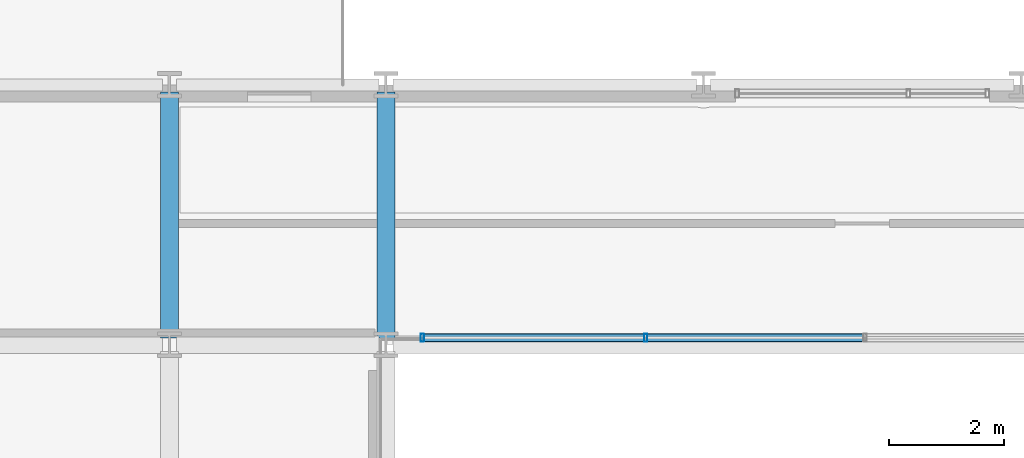
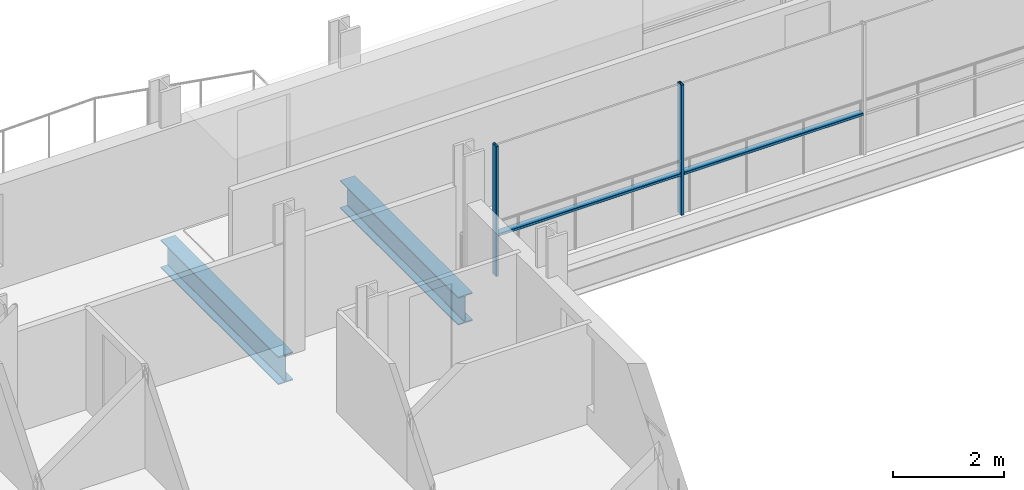
# One storey, part 9 of 40: 4 members, 2 beams, 1 element without a shape of its own.
"""IFC4 building model written with IfcOpenShell, lengths in metres."""

from ifc_helpers import new_model, si_unit, direction, frame, origin, origin_2d, place, context, subcontext, project, spatial, hollow_rectangle, i_section, extrude, material, layer, layer_set, material_profile, profile_set, type_object, element, aggregate, save


model = new_model("IFC4")

# Units and contexts
model_context = context("Model", 3, precision=1e-05, world=origin(), true_north=direction((0.0, 1.0)))
body_context = subcontext(model_context, "Body", "Model", "MODEL_VIEW")
ifc_project = project(units=[si_unit("LENGTHUNIT", "METRE"), si_unit("AREAUNIT", "SQUARE_METRE"), si_unit("VOLUMEUNIT", "CUBIC_METRE"), si_unit("PLANEANGLEUNIT", "RADIAN"), si_unit("MASSUNIT", "GRAM", prefix="KILO")], contexts=[model_context])

# Site, building, storey
site_placement = place(None, origin())
site = spatial("IfcSite", under=ifc_project, at=site_placement, CompositionType="ELEMENT")
building_placement = place(site_placement, origin())
building = spatial("IfcBuilding", under=site, at=building_placement, Name="Brevholm Reach", CompositionType="ELEMENT")
storey_placement = place(building_placement, frame((0.0, 0.0, 80.699951171875)))
storey = spatial("IfcBuildingStorey", under=building, at=storey_placement, Name="L23", CompositionType="ELEMENT", Elevation=80.699951171875)

# Beams
ifc_material_1 = material(Name="Structural Steel S355J2", Category="steel")
ifc_material_profile_1 = material_profile(ifc_material_1, i_section(OverallWidth=0.30712890625, OverallDepth=0.6201171875, WebThickness=0.01416015625, FlangeThickness=0.023681640625, FilletRadius=0.0166015625, at=origin_2d()), Name="UKB 610x305x179")
ifc_profile_set_1 = profile_set([ifc_material_profile_1], Name="Structural Steel S355J2")
beam_type = type_object("IfcBeamType", Name="BM-UKB610H", PredefinedType="USERDEFINED", material=ifc_profile_set_1)
for number, where, z_axis, x_axis, name in (
    (1, (18.0, 26.6201171875, -0.5400390625), (0.0, 1.0, 0.0), (-1.0, 0.0, 0.0), "L23 G-06 Framing Beam"),
    (2, (21.75, 26.6201171875, -0.5400390625), (0.0, 1.0, 0.0), (-1.0, 0.0, 0.0), "L23 G-06 Framing Beam"),
):
    element("IfcBeam", number, at=place(storey_placement, frame(where, z_axis=z_axis, x_axis=x_axis)), inside=storey, type_object=beam_type, Name=name, ObjectType="GIRDER", PredefinedType="USERDEFINED", context=body_context, shape_type="SweptSolid", body=[
        extrude(i_section(OverallWidth=0.30712890625, OverallDepth=0.6201171875, WebThickness=0.01416015625, FlangeThickness=0.023681640625, FilletRadius=0.0166015625, at=origin_2d()), origin(), (0.0, 0.0, 1.0), 4.259765625),
    ])

# Curtain wall, members
ifc_material_2 = material(Name="Dark Anodised Aluminium 6063-T6 and Solar-Control Glass", Category="aluminium")
ifc_layer = layer(ifc_material_2, 0.139892578125)
ifc_layer_set = layer_set([ifc_layer], Name="Dark Anodised Aluminium 6063-T6 and Solar-Control Glass")
curtain_wall_type = type_object("IfcCurtainWallType", Name="CW-02", PredefinedType="NOTDEFINED", material=ifc_layer_set)
curtain_wall_placement = place(storey_placement, origin())
curtain_wall = element("IfcCurtainWall", 3, at=curtain_wall_placement, inside=storey, type_object=curtain_wall_type, Name="L23 Curtain Wall CW-02", PredefinedType="NOTDEFINED")
ifc_material_3 = material(Name="Dark Anodised Aluminium 6063-T6", Category="aluminium")
ifc_material_profile_2 = material_profile(ifc_material_3, hollow_rectangle(XDim=0.06005859375, YDim=0.139892578125, WallThickness=0.0048828125, InnerFilletRadius=0.0048828125, OuterFilletRadius=0.010009765625, at=origin_2d()), Name="RHS 140x60x5")
ifc_profile_set_2 = profile_set([ifc_material_profile_2], Name="Dark Anodised Aluminium 6063-T6")
member_type_1 = type_object("IfcMemberType", Name="CWM-140", PredefinedType="MULLION", material=ifc_profile_set_2)
member_1_placement = place(storey_placement, frame((26.25, 26.6201171875, 0.0), z_axis=(0.0, 0.0, 1.0), x_axis=(-1.0, 0.0, 0.0)))
member_1 = element("IfcMember", 4, at=member_1_placement, type_object=member_type_1, Name="CM-140 Mullion 4", PredefinedType="MULLION", context=body_context, shape_type="SweptSolid", body=[
    extrude(hollow_rectangle(XDim=0.06005859375, YDim=0.139892578125, WallThickness=0.0048828125, InnerFilletRadius=0.0048828125, OuterFilletRadius=0.010009765625, at=origin_2d()), origin(), (0.0, 0.0, 1.0), 2.8701171875),
])
member_2_placement = place(storey_placement, frame((22.3798828125, 26.6201171875, 0.0), z_axis=(0.0, 0.0, 1.0), x_axis=(-1.0, 0.0, 0.0)))
member_2 = element("IfcMember", 5, at=member_2_placement, type_object=member_type_1, Name="CM-140 Mullion 5", PredefinedType="MULLION", context=body_context, shape_type="SweptSolid", body=[
    extrude(hollow_rectangle(XDim=0.06005859375, YDim=0.139892578125, WallThickness=0.0048828125, InnerFilletRadius=0.0048828125, OuterFilletRadius=0.010009765625, at=origin_2d()), origin(), (0.0, 0.0, 1.0), 2.8701171875),
])
ifc_material_4 = material(Name="Dark Anodised Aluminium 6063-T6", Category="aluminium")
ifc_material_profile_3 = material_profile(ifc_material_4, hollow_rectangle(XDim=0.06005859375, YDim=0.139892578125, WallThickness=0.0048828125, InnerFilletRadius=0.0048828125, OuterFilletRadius=0.010009765625, at=origin_2d()), Name="RHS 140x60x5")
ifc_profile_set_3 = profile_set([ifc_material_profile_3], Name="Dark Anodised Aluminium 6063-T6")
member_type_2 = type_object("IfcMemberType", Name="CWT-140", PredefinedType="NOTDEFINED", material=ifc_profile_set_3)
member_3_placement = place(storey_placement, frame((30.02001953125, 26.6201171875, 0.900146484375), z_axis=(-1.0, 0.0, 0.0), x_axis=(0.0, 0.0, 1.0)))
member_3 = element("IfcMember", 6, at=member_3_placement, type_object=member_type_2, Name="CT-140 Transom 3.1", ObjectType="TRANSOM", PredefinedType="USERDEFINED", context=body_context, shape_type="SweptSolid", body=[
    extrude(hollow_rectangle(XDim=0.06005859375, YDim=0.139892578125, WallThickness=0.0048828125, InnerFilletRadius=0.0048828125, OuterFilletRadius=0.010009765625, at=origin_2d()), origin(), (0.0, 0.0, 1.0), 3.739990234375),
])
member_4_placement = place(storey_placement, frame((26.219970703125, 26.6201171875, 0.900146484375), z_axis=(-1.0, 0.0, 0.0), x_axis=(0.0, 0.0, 1.0)))
member_4 = element("IfcMember", 7, at=member_4_placement, type_object=member_type_2, Name="CT-140 Transom 4.1", ObjectType="TRANSOM", PredefinedType="USERDEFINED", context=body_context, shape_type="SweptSolid", body=[
    extrude(hollow_rectangle(XDim=0.06005859375, YDim=0.139892578125, WallThickness=0.0048828125, InnerFilletRadius=0.0048828125, OuterFilletRadius=0.010009765625, at=origin_2d()), origin(), (0.0, 0.0, 1.0), 3.81005859375),
])
aggregate(curtain_wall, [member_1, member_2, member_3, member_4])

save(model, "model.ifc")
